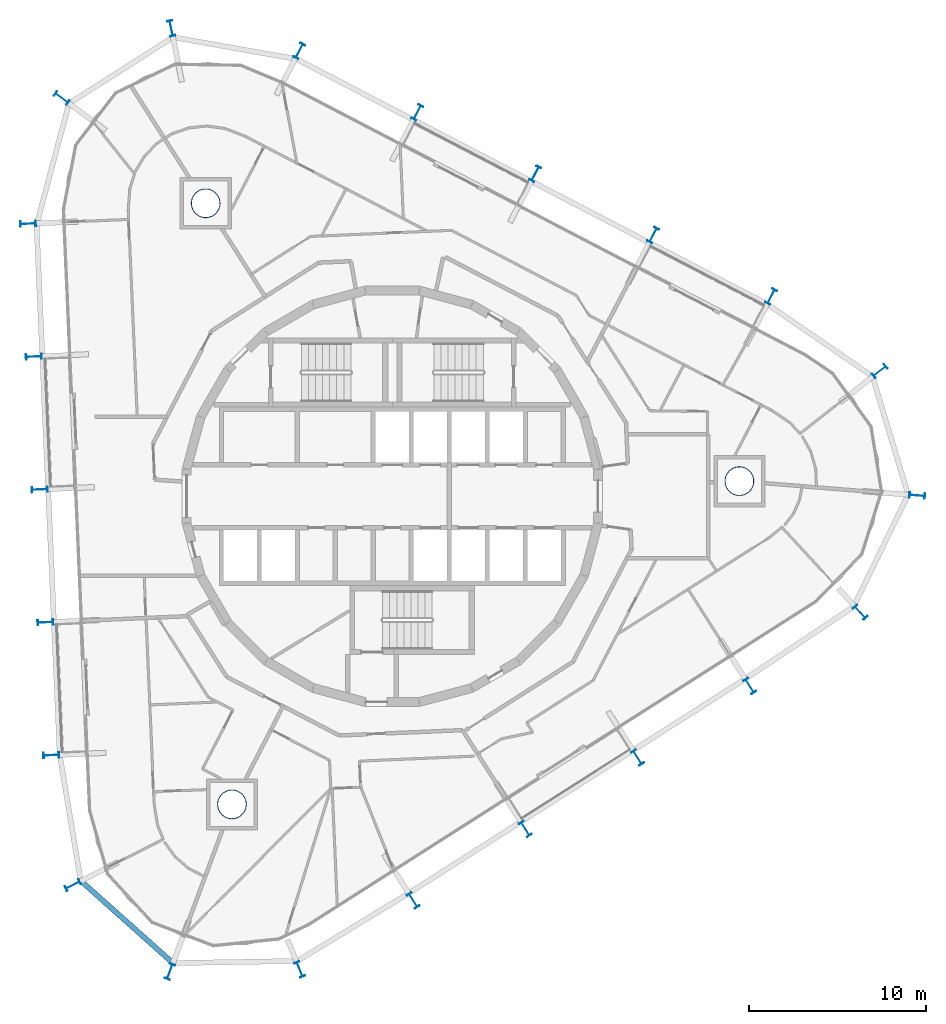
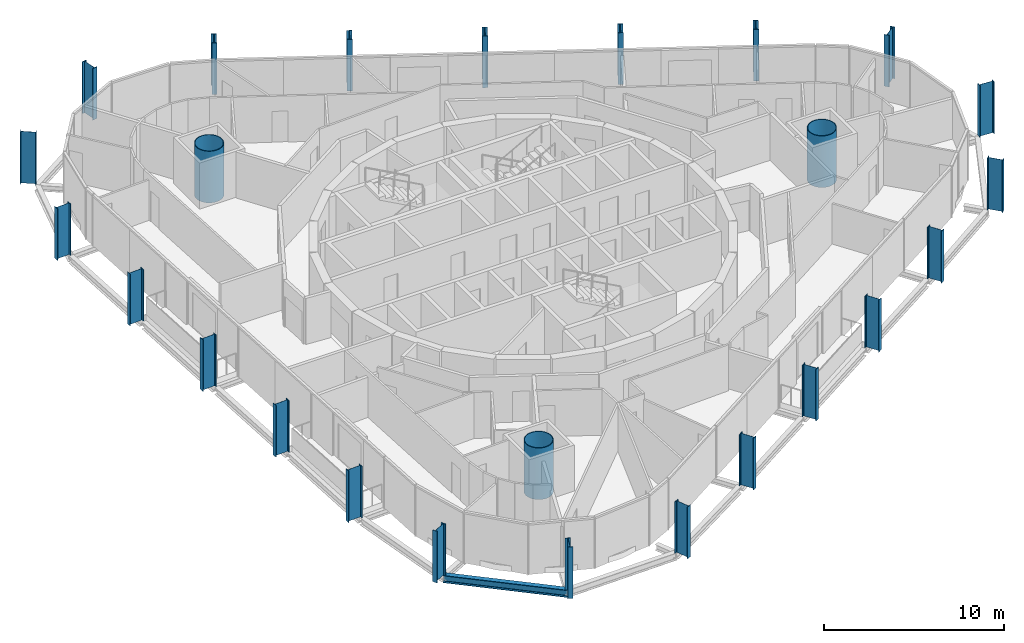
# One storey, part 1 of 17: 25 columns, 1 beam.
"""IFC4 building model written with IfcOpenShell, lengths in metres."""

from ifc_helpers import new_model, si_unit, direction, frame, origin, origin_2d, place, context, subcontext, project, spatial, hollow_circle, i_section, extrude, material, material_profile, profile_set, type_object, element, save


model = new_model("IFC4")

# Units and contexts
model_context = context("Model", 3, precision=1e-05, world=origin(), true_north=direction((0.0, 1.0)))
body_context = subcontext(model_context, "Body", "Model", "MODEL_VIEW")
ifc_project = project(units=[si_unit("LENGTHUNIT", "METRE"), si_unit("AREAUNIT", "SQUARE_METRE"), si_unit("VOLUMEUNIT", "CUBIC_METRE"), si_unit("PLANEANGLEUNIT", "RADIAN"), si_unit("MASSUNIT", "GRAM", prefix="KILO")], contexts=[model_context])

# Site, building, storey
site_placement = place(None, origin())
site = spatial("IfcSite", under=ifc_project, at=site_placement, CompositionType="ELEMENT")
building_placement = place(site_placement, origin())
building = spatial("IfcBuilding", under=site, at=building_placement, Name="Spindle Arch Residences", CompositionType="ELEMENT")
storey_placement = place(building_placement, frame((0.0, 0.0, 237.199951171875)))
storey = spatial("IfcBuildingStorey", under=building, at=storey_placement, Name="L60", CompositionType="ELEMENT", Elevation=237.199951171875)

# Columns
ifc_material_1 = material(Name="Steel S460ML, intumescent coating R 240", Category="steel")
ifc_material_profile_1 = material_profile(ifc_material_1, i_section(OverallWidth=0.300048828125, OverallDepth=0.89990234375, WebThickness=0.0185546875, FlangeThickness=0.034912109375, FilletRadius=0.030029296875, at=origin_2d()), Name="HEB 900")
ifc_profile_set_1 = profile_set([ifc_material_profile_1], Name="Steel S460ML, intumescent coating R 240")
column_type_1 = type_object("IfcColumnType", Name="Exoskeleton post HEB 900", PredefinedType="COLUMN", material=ifc_profile_set_1)
for number, where, z_axis, x_axis, name in (
    (1, (13.885986328125, -14.78955078125, -0.3798828125), (0.0, 0.0, 1.0), (-0.843391139633, -0.537300088953, 0.0), "Exoskeleton post 1"),
    (2, (20.23681640625, -10.74365234375, -0.3798828125), (0.0, 0.0, 1.0), (-0.843391139633, -0.537300088953, 0.0), "Exoskeleton post 2"),
    (3, (26.49462890625, -6.569091796875, -0.3798828125), (0.0, 0.0, 1.0), (-0.735346889002, -0.677690897707, 0.0), "Exoskeleton post 3"),
    (4, (29.71728515625, 0.04443359375, -0.3798828125), (0.0, 0.0, 1.0), (-0.080537962999, -0.996751542018, 0.0), "Exoskeleton post 4"),
    (5, (27.598388671875, 7.089599609375, -0.3798828125), (0.0, 0.0, 1.0), (0.617001797175, -0.786961741308, 0.0), "Exoskeleton post 5"),
    (6, (21.449951171875, 11.3076171875, -0.3798828125), (0.0, 0.0, 1.0), (0.887010710334, -0.461748849216, 0.0), "Exoskeleton post 6"),
    (7, (14.770751953125, 14.784423828125, -0.3798828125), (0.0, 0.0, 1.0), (0.887010710334, -0.461748849216, 0.0), "Exoskeleton post 7"),
    (8, (8.09130859375, 18.261474609375, -0.3798828125), (0.0, 0.0, 1.0), (0.887010710334, -0.461748849216, 0.0), "Exoskeleton post 8"),
    (9, (1.412109375, 21.738525390625, -0.3798828125), (0.0, 0.0, 1.0), (0.887010710334, -0.461748849216, 0.0), "Exoskeleton post 9"),
    (10, (-5.26708984375, 25.215576171875, -0.3798828125), (0.0, 0.0, 1.0), (0.887010710334, -0.461748849216, 0.0), "Exoskeleton post 10"),
    (11, (-12.51953125, 26.498046875, -0.3798828125), (0.0, 0.0, 1.0), (0.981152901053, 0.193232980505, 0.0), "Exoskeleton post 11"),
    (12, (-18.724365234375, 22.545166015625, -0.3798828125), (0.0, 0.0, 1.0), (0.589781110017, 0.807563150637, 0.0), "Exoskeleton post 12"),
    (13, (-20.626953125, 15.43017578125, -0.3798828125), (0.0, 0.0, 1.0), (-0.043619010384, 0.999048238041, 0.0), "Exoskeleton post 13"),
    (14, (-20.298583984375, 7.9072265625, -0.3798828125), (0.0, 0.0, 1.0), (-0.043619010384, 0.999048238041, 0.0), "Exoskeleton post 14"),
    (15, (-19.97021484375, 0.38427734375, -0.3798828125), (0.0, 0.0, 1.0), (-0.043619010384, 0.999048238041, 0.0), "Exoskeleton post 15"),
    (16, (-19.6416015625, -7.138671875, -0.3798828125), (0.0, 0.0, 1.0), (-0.043619010384, 0.999048238041, 0.0), "Exoskeleton post 16"),
    (17, (-19.313232421875, -14.66162109375, -0.3798828125), (0.0, 0.0, 1.0), (-0.043619010384, 0.999048238041, 0.0), "Exoskeleton post 17"),
    (18, (-18.089111328125, -22.016357421875, -0.3798828125), (0.0, 0.0, 1.0), (-0.452473836659, 0.89177767809, 0.0), "Exoskeleton post 18"),
    (19, (-12.599365234375, -26.9140625, -0.3798828125), (0.0, 0.0, 1.0), (-0.937400631219, 0.348252863002, 0.0), "Exoskeleton post 19"),
    (20, (-5.243408203125, -26.78857421875, -0.3798828125), (0.0, 0.0, 1.0), (-0.924967647063, -0.380045854978, 0.0), "Exoskeleton post 20"),
    (21, (1.1845703125, -22.88134765625, -0.3798828125), (0.0, 0.0, 1.0), (-0.843391139633, -0.537300088953, 0.0), "Exoskeleton post 21"),
    (22, (7.535400390625, -18.83544921875, -0.3798828125), (0.0, 0.0, 1.0), (-0.843391139633, -0.537300088953, 0.0), "Exoskeleton post 22"),
):
    element("IfcColumn", number, at=place(storey_placement, frame(where, z_axis=z_axis, x_axis=x_axis)), inside=storey, type_object=column_type_1, Name=name, PredefinedType="COLUMN", context=body_context, shape_type="SweptSolid", body=[
        extrude(i_section(OverallWidth=0.300048828125, OverallDepth=0.89990234375, WebThickness=0.0185546875, FlangeThickness=0.034912109375, FilletRadius=0.030029296875, at=origin_2d()), origin(), (0.0, 0.0, 1.0), 3.5),
    ])
ifc_material_2 = material(Name="Concrete C50/60 filled steel tube S460ML, intumescent coating R 240", Category="concrete")
ifc_material_profile_2 = material_profile(ifc_material_2, hollow_circle(Radius=0.824951171875, WallThickness=0.0400390625, at=origin_2d()), Name="CFT D1650x40")
ifc_profile_set_2 = profile_set([ifc_material_profile_2], Name="Concrete C50/60 filled steel tube S460ML, intumescent coating R 240")
column_type_2 = type_object("IfcColumnType", Name="Mega-column CFT D1650x40", PredefinedType="COLUMN", material=ifc_profile_set_2)
for number, where, z_axis, x_axis, name in (
    (23, (19.64990234375, 0.85791015625, -0.3798828125), (0.0, 0.0, 1.0), (1.0, 0.0, 0.0), "Mega-column 1"),
    (24, (-10.568115234375, 16.58837890625, -0.3798828125), (0.0, 0.0, 1.0), (1.0, 0.0, 0.0), "Mega-column 2"),
    (25, (-9.08203125, -17.4462890625, -0.3798828125), (0.0, 0.0, 1.0), (1.0, 0.0, 0.0), "Mega-column 3"),
):
    element("IfcColumn", number, at=place(storey_placement, frame(where, z_axis=z_axis, x_axis=x_axis)), inside=storey, type_object=column_type_2, Name=name, PredefinedType="COLUMN", context=body_context, shape_type="SweptSolid", body=[
        extrude(hollow_circle(Radius=0.824951171875, WallThickness=0.0400390625, at=origin_2d()), origin(), (0.0, 0.0, 1.0), 3.5),
    ])

# Beam
ifc_material_3 = material(Name="Steel S460ML, intumescent coating R 120", Category="steel")
ifc_material_profile_3 = material_profile(ifc_material_3, i_section(OverallWidth=0.300048828125, OverallDepth=0.5, WebThickness=0.014404296875, FlangeThickness=0.028076171875, FilletRadius=0.027099609375, at=origin_2d()), Name="HEB 500")
ifc_profile_set_3 = profile_set([ifc_material_profile_3], Name="Steel S460ML, intumescent coating R 120")
beam_type = type_object("IfcBeamType", Name="Exoskeleton edge beam HEB 500", PredefinedType="BEAM", material=ifc_profile_set_3)
beam_placement = place(storey_placement, frame((-17.67236328125, -21.74462890625, -0.6298828125), z_axis=(0.746176267139, -0.66574843474, 0.0), x_axis=(0.66574843474, 0.746176267139, 0.0)))
element("IfcBeam", 26, at=beam_placement, inside=storey, type_object=beam_type, Name="Exoskeleton edge beam 18", PredefinedType="BEAM", context=body_context, shape_type="SweptSolid", body=[
    extrude(i_section(OverallWidth=0.300048828125, OverallDepth=0.5, WebThickness=0.014404296875, FlangeThickness=0.028076171875, FilletRadius=0.027099609375, at=origin_2d()), origin(), (0.0, 0.0, 1.0), 7.09716796875),
])

save(model, "model.ifc")
